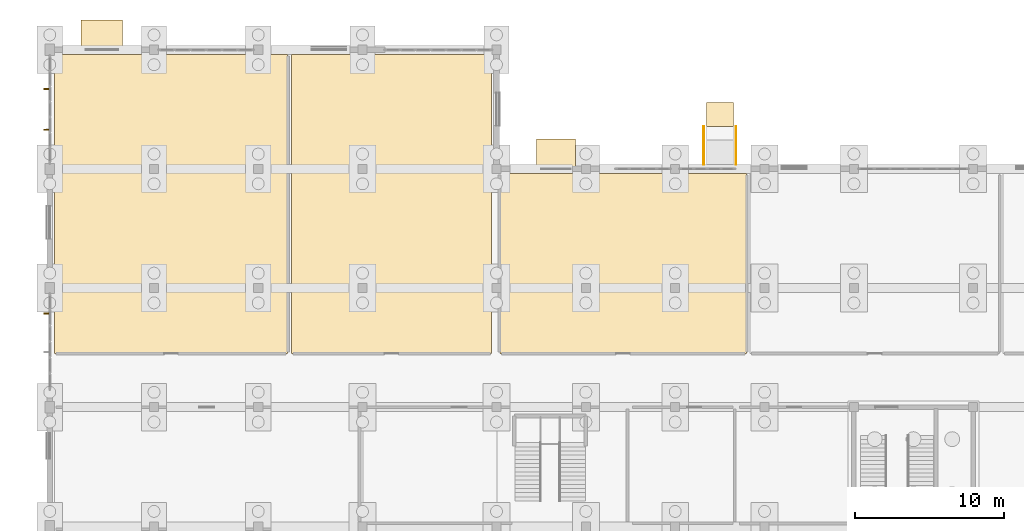
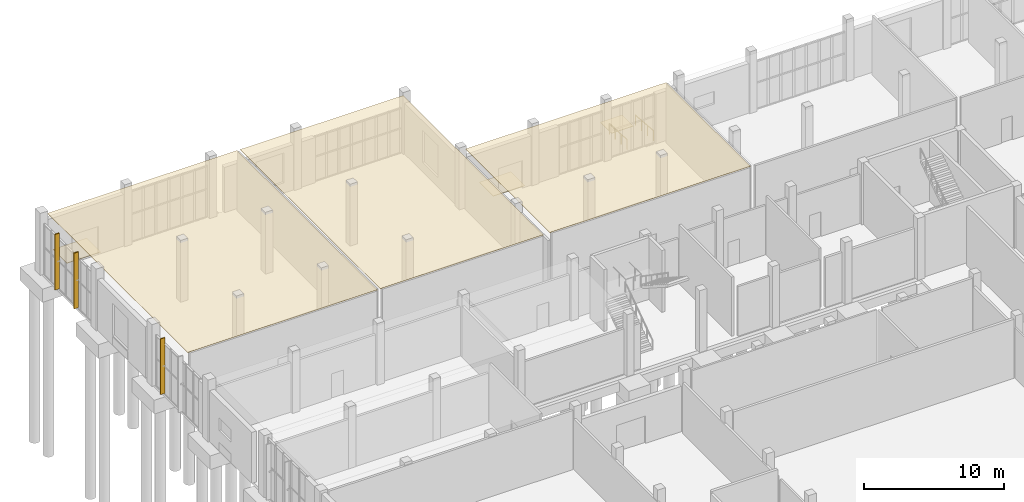
# One storey, part 67 of 69: 6 coverings, 3 shading devices, 2 railings.
"""IFC4 building model written with IfcOpenShell, lengths in metres."""

import ifcopenshell
import ifcopenshell.guid

model = None  # the IFC model being written
_history = None  # IfcOwnerHistory: only IFC2X3 demands one
_inside = {}  # id of a spatial element -> (the spatial element, [elements in it])
_under = {}  # id of a project, library or spatial element -> (it, [spatial elements below it])
_declared = {}  # id of a project -> (the project, [libraries it declares])
_typed = {}  # id of a type object -> (the type object, [elements of that type])
_made_of = {}  # id of a material, layer set ... -> (it, [elements and type objects made of it])


def new_model(schema):
    """Start an empty IFC model of exactly this schema.

    Asked for "IFC4X3", IfcOpenShell would pick the latest addendum, in which some entities
    have other attributes; the version numbers below select the first issue.
    IFC2X3 requires an IfcOwnerHistory on every rooted entity: one is made here for all.
    """
    global model, _history
    if schema == "IFC4X3":
        model = ifcopenshell.file(schema_version=(4, 3, 0, 0))
    else:
        model = ifcopenshell.file(schema=schema)
    _inside.clear()
    _under.clear()
    _declared.clear()
    _typed.clear()
    _made_of.clear()
    _history = None
    if model.schema == "IFC2X3":
        org = make("IfcOrganization", Name="unknown")
        user = make(
            "IfcPersonAndOrganization",
            ThePerson=make("IfcPerson", FamilyName="unknown"),
            TheOrganization=org,
        )
        app = make(
            "IfcApplication",
            ApplicationDeveloper=org,
            Version="unknown",
            ApplicationFullName="unknown",
            ApplicationIdentifier="unknown",
        )
        _history = make(
            "IfcOwnerHistory",
            OwningUser=user,
            OwningApplication=app,
            ChangeAction="ADDED",
            CreationDate=0,
        )
    return model


def make(cls, **values):
    """One entity of the class cls with the attributes given. An attribute that is None is left unset."""
    return model.create_entity(
        cls, **{name: value for name, value in values.items() if value is not None}
    )


def rooted(cls, **values):
    """An entity with a GlobalId (a new one), such as an element, a storey or a relation."""
    return make(cls, GlobalId=ifcopenshell.guid.new(), OwnerHistory=_history, **values)


def si_unit(unit_type, name, prefix=None):
    """IfcSIUnit, for example si_unit("LENGTHUNIT", "METRE", prefix="MILLI")."""
    return make("IfcSIUnit", UnitType=unit_type, Prefix=prefix, Name=name)


def assignment(units):
    """IfcUnitAssignment: the units of a project."""
    return None if units is None else make("IfcUnitAssignment", Units=units)


def point(xyz):
    """IfcCartesianPoint."""
    return None if xyz is None else make("IfcCartesianPoint", Coordinates=xyz)


def direction(xyz):
    """IfcDirection."""
    return None if xyz is None else make("IfcDirection", DirectionRatios=xyz)


def frame(location, z_axis=None, x_axis=None):
    """IfcAxis2Placement3D, a coordinate frame: its origin and axes. An axis left out is left unset."""
    return make(
        "IfcAxis2Placement3D",
        Location=point(location),
        Axis=direction(z_axis),
        RefDirection=direction(x_axis),
    )


def frame_2d(location, x_axis=None):
    """IfcAxis2Placement2D, a coordinate frame in the plane: its origin and x axis."""
    return make(
        "IfcAxis2Placement2D", Location=point(location), RefDirection=direction(x_axis)
    )


def origin():
    """The frame at (0, 0, 0) with its axes left unset."""
    return frame((0.0, 0.0, 0.0))


def origin_2d():
    """The frame at (0, 0) in the plane with its x axis left unset."""
    return frame_2d((0.0, 0.0))


def place(relative_to, where):
    """IfcLocalPlacement: puts the frame where relative to a parent placement (None: the world)."""
    return make(
        "IfcLocalPlacement", PlacementRelTo=relative_to, RelativePlacement=where
    )


def context(
    kind, dimensions, precision=None, world=None, true_north=None, identifier=None
):
    """IfcGeometricRepresentationContext, for example the 3D "Model" context."""
    return make(
        "IfcGeometricRepresentationContext",
        ContextIdentifier=identifier,
        ContextType=kind,
        CoordinateSpaceDimension=dimensions,
        Precision=precision,
        WorldCoordinateSystem=world,
        TrueNorth=true_north,
    )


def subcontext(parent, identifier, kind, view, scale=None):
    """IfcGeometricRepresentationSubContext, for example "Body" below "Model"."""
    return make(
        "IfcGeometricRepresentationSubContext",
        ContextIdentifier=identifier,
        ContextType=kind,
        ParentContext=parent,
        TargetScale=scale,
        TargetView=view,
    )


def project(units=None, contexts=None):
    """IfcProject with its units and contexts."""
    return rooted(
        "IfcProject",
        Name="project",
        RepresentationContexts=contexts,
        UnitsInContext=assignment(units),
    )


def spatial(cls, under=None, at=None, **own):
    """A site, building, storey or space (cls), placed at a placement, below another one or the project."""
    s = rooted(cls, ObjectPlacement=at, **own)
    if under is not None:
        _under.setdefault(under.id(), (under, []))[1].append(s)
    return s


def polyline(points):
    """IfcPolyline through the points."""
    return make("IfcPolyline", Points=[point(p) for p in points])


def profile(cls, at=None, kind="AREA", **sizes):
    """A parametric profile (cls). Its sizes go by their IFC names, for example OverallWidth=200.0."""
    return make(cls, ProfileType=kind, Position=at, **sizes)


def rectangle(**sizes):
    """IfcRectangleProfileDef."""
    return profile("IfcRectangleProfileDef", **sizes)


def circle(**sizes):
    """IfcCircleProfileDef."""
    return profile("IfcCircleProfileDef", **sizes)


def outline(outer, holes=None, kind="AREA"):
    """IfcArbitraryClosedProfileDef: a profile drawn as a closed curve; with holes, ...WithVoids."""
    if holes is None:
        return make("IfcArbitraryClosedProfileDef", ProfileType=kind, OuterCurve=outer)
    return make(
        "IfcArbitraryProfileDefWithVoids",
        ProfileType=kind,
        OuterCurve=outer,
        InnerCurves=holes,
    )


def extrude(swept, where, along, depth):
    """IfcExtrudedAreaSolid: the profile swept, set in the frame where, extruded along a direction by depth."""
    return make(
        "IfcExtrudedAreaSolid",
        SweptArea=swept,
        Position=where,
        ExtrudedDirection=direction(along),
        Depth=depth,
    )


def shape(context_of_items, identifier, shape_type, items):
    """IfcShapeRepresentation: the items that make up one representation, for example the "Body"."""
    return make(
        "IfcShapeRepresentation",
        ContextOfItems=context_of_items,
        RepresentationIdentifier=identifier,
        RepresentationType=shape_type,
        Items=items,
    )


def material(Name=None, Category=None):
    """IfcMaterial."""
    return make("IfcMaterial", Name=Name, Category=Category)


def layer(
    of_material, thickness, ventilated=None, Name=None, Category=None, Priority=None
):
    """IfcMaterialLayer: one layer of a wall or slab, of a material (None: an air gap)."""
    return make(
        "IfcMaterialLayer",
        Material=of_material,
        LayerThickness=thickness,
        IsVentilated=ventilated,
        Name=Name,
        Category=Category,
        Priority=Priority,
    )


def layer_set(layers, Name=None):
    """IfcMaterialLayerSet."""
    return make("IfcMaterialLayerSet", MaterialLayers=layers, LayerSetName=Name)


def made_of(thing, what):
    """Note that an element or type object is made of a material, layer set ...; save() writes the relation."""
    if what is not None:
        _made_of.setdefault(what.id(), (what, []))[1].append(thing)
    return thing


def type_object(cls, material=None, **own):
    """A type object (cls), such as IfcWallType, which elements share."""
    return made_of(rooted(cls, **own), material)


def element(
    cls,
    number,
    at=None,
    inside=None,
    cuts=None,
    type_object=None,
    material=None,
    context=None,
    identifier="Body",
    shape_type=None,
    held_by="IfcProductDefinitionShape",
    body=None,
    shapes=None,
    **own,
):
    """One element of the class cls, such as IfcWall. Its Tag is "e" and its number.

    at: its placement. inside: the storey or other place that contains it. cuts: it is an
    opening in that element (IfcRelVoidsElement). A single representation is given by context,
    identifier, shape_type and body (its items); several are given by shapes. held_by: the class
    of the entity that holds the representations. save() writes the other relations.
    """
    e = rooted(cls, Tag="e%d" % number, ObjectPlacement=at, **own)
    if body is not None:
        shapes = [shape(context, identifier, shape_type, body)]
    if shapes is not None:
        e.Representation = make(held_by, Representations=shapes)
    if inside is not None:
        _inside.setdefault(inside.id(), (inside, []))[1].append(e)
    if cuts is not None:
        rooted(
            "IfcRelVoidsElement", RelatingBuildingElement=cuts, RelatedOpeningElement=e
        )
    if type_object is not None:
        _typed.setdefault(type_object.id(), (type_object, []))[1].append(e)
    return made_of(e, material)


def aggregate(whole, parts):
    """IfcRelAggregates: a whole, such as a stair, and the parts it consists of."""
    return rooted("IfcRelAggregates", RelatingObject=whole, RelatedObjects=parts)


def save(model, path):
    """Write the relations noted so far, then the file.

    IfcRelAggregates (storeys below a building ...), IfcRelContainedInSpatialStructure (elements
    in a storey), IfcRelDefinesByType, IfcRelAssociatesMaterial and IfcRelDeclares: one each for
    every whole, place, type object, material and project.
    """
    for whole, parts in _under.values():
        aggregate(whole, parts)
    for where, things in _inside.values():
        rooted(
            "IfcRelContainedInSpatialStructure",
            RelatedElements=things,
            RelatingStructure=where,
        )
    for kind, things in _typed.values():
        rooted("IfcRelDefinesByType", RelatedObjects=things, RelatingType=kind)
    for what, things in _made_of.values():
        rooted("IfcRelAssociatesMaterial", RelatedObjects=things, RelatingMaterial=what)
    for by, libraries in _declared.values():
        rooted("IfcRelDeclares", RelatingContext=by, RelatedDefinitions=libraries)
    model.write(path)


model = new_model("IFC4")

# Units and contexts
model_context = context("Model", 3, precision=1e-05, world=origin(), true_north=direction((0.0, 1.0)))
body_context = subcontext(model_context, "Body", "Model", "MODEL_VIEW")
ifc_project = project(units=[si_unit("LENGTHUNIT", "METRE"), si_unit("AREAUNIT", "SQUARE_METRE"), si_unit("VOLUMEUNIT", "CUBIC_METRE"), si_unit("PLANEANGLEUNIT", "RADIAN"), si_unit("MASSUNIT", "GRAM", prefix="KILO")], contexts=[model_context])

# Site, building, storey
site_placement = place(None, origin())
site = spatial("IfcSite", under=ifc_project, at=site_placement, CompositionType="ELEMENT")
building_placement = place(site_placement, origin())
building = spatial("IfcBuilding", under=site, at=building_placement, Name="Solvane Community Centre", CompositionType="ELEMENT")
storey_placement = place(building_placement, origin())
storey = spatial("IfcBuildingStorey", under=building, at=storey_placement, Name="L00", CompositionType="ELEMENT", Elevation=0.0)

# Coverings
ifc_material_1 = material(Name="Acoustic timber slat ceiling", Category="wood")
ifc_layer_1 = layer(ifc_material_1, 0.0400390625)
ifc_layer_set_1 = layer_set([ifc_layer_1], Name="Acoustic timber slat ceiling")
covering_type_1 = type_object("IfcCoveringType", Name="Acoustic Timber Slat Suspended Ceiling", PredefinedType="CEILING", material=ifc_layer_set_1)
covering_1_placement = place(storey_placement, frame((0.0, 0.0, 5.135009765625)))
element("IfcCovering", 1, at=covering_1_placement, inside=storey, type_object=covering_type_1, Name="Acoustic Ceiling L00-52", PredefinedType="CEILING", context=body_context, shape_type="SweptSolid", body=[
    extrude(outline(polyline([(36.219970703125, 97.6201171875), (36.219970703125, 109.679931640625), (52.780029296875, 109.679931640625), (52.780029296875, 97.6201171875), (36.219970703125, 97.6201171875)])), origin(), (0.0, 0.0, 1.0), 0.0400390625),
])
covering_2_placement = place(storey_placement, frame((0.0, 0.0, 5.135009765625)))
element("IfcCovering", 2, at=covering_2_placement, inside=storey, type_object=covering_type_1, Name="Acoustic Ceiling L00-56", PredefinedType="CEILING", context=body_context, shape_type="SweptSolid", body=[
    extrude(outline(polyline([(6.320068359375, 97.6201171875), (6.320068359375, 117.679931640625), (21.97998046875, 117.679931640625), (21.97998046875, 97.6201171875), (6.320068359375, 97.6201171875)])), origin(), (0.0, 0.0, 1.0), 0.0400390625),
])
covering_3_placement = place(storey_placement, frame((0.0, 0.0, 5.135009765625)))
element("IfcCovering", 3, at=covering_3_placement, inside=storey, type_object=covering_type_1, Name="Acoustic Ceiling L00-57", PredefinedType="CEILING", context=body_context, shape_type="SweptSolid", body=[
    extrude(outline(polyline([(22.219970703125, 97.6201171875), (22.219970703125, 117.679931640625), (35.679931640625, 117.679931640625), (35.679931640625, 97.6201171875), (22.219970703125, 97.6201171875)])), origin(), (0.0, 0.0, 1.0), 0.0400390625),
])

# Shading devices
ifc_material_2 = material(Name="Anodised bronze aluminium AW-6063 T6", Category="aluminium")
shading_device_type = type_object("IfcShadingDeviceType", Name="Art Deco Bronze Solar Fin 80x360", PredefinedType="USERDEFINED", material=ifc_material_2)
shading_device_1_placement = place(storey_placement, frame((5.760009765625, 100.2919921875, 0.14990234375), z_axis=(0.0, 0.0, 1.0), x_axis=(0.0, 1.0, 0.0)))
element("IfcShadingDevice", 4, at=shading_device_1_placement, inside=storey, type_object=shading_device_type, Name="Solar Brise-Soleil Fin 10", ObjectType="Solar Brise-Soleil Fin 10", PredefinedType="USERDEFINED", context=body_context, shape_type="SweptSolid", body=[
    extrude(rectangle(XDim=0.080078125, YDim=0.360107421875, at=origin_2d()), origin(), (0.0, 0.0, 1.0), 4.860107421875),
])
shading_device_2_placement = place(storey_placement, frame((5.760009765625, 112.639892578125, 0.14990234375), z_axis=(0.0, 0.0, 1.0), x_axis=(0.0, 1.0, 0.0)))
element("IfcShadingDevice", 5, at=shading_device_2_placement, inside=storey, type_object=shading_device_type, Name="Solar Brise-Soleil Fin 11", ObjectType="Solar Brise-Soleil Fin 11", PredefinedType="USERDEFINED", context=body_context, shape_type="SweptSolid", body=[
    extrude(rectangle(XDim=0.080078125, YDim=0.360107421875, at=origin_2d()), origin(), (0.0, 0.0, 1.0), 4.860107421875),
])
shading_device_3_placement = place(storey_placement, frame((5.760009765625, 115.360107421875, 0.14990234375), z_axis=(0.0, 0.0, 1.0), x_axis=(0.0, 1.0, 0.0)))
element("IfcShadingDevice", 6, at=shading_device_3_placement, inside=storey, type_object=shading_device_type, Name="Solar Brise-Soleil Fin 12", ObjectType="Solar Brise-Soleil Fin 12", PredefinedType="USERDEFINED", context=body_context, shape_type="SweptSolid", body=[
    extrude(rectangle(XDim=0.080078125, YDim=0.360107421875, at=origin_2d()), origin(), (0.0, 0.0, 1.0), 4.860107421875),
])

# Railings
railing_type = type_object("IfcRailingType", Name="Ramp Handrail 900mm", PredefinedType="HANDRAIL", material=ifc_material_2)
for number, where, name in (
    (7, (49.919921875, 112.85009765625, -0.239990234375), "Ramp Handrail RMP-06"),
    (8, (52.080078125, 112.85009765625, -0.239990234375), "Ramp Handrail RMP-06"),
):
    element("IfcRailing", number, at=place(storey_placement, frame(where)), inside=storey, type_object=railing_type, Name=name, PredefinedType="HANDRAIL", context=body_context, shape_type="SweptSolid", body=[
        extrude(circle(Radius=0.02392578125, at=origin_2d()), frame((0.0, 0.0, 0.8759765625), z_axis=(0.0, -0.99693998236, 0.078170784639), x_axis=(1.0, 0.0, 0.0)), (0.0, 0.0, 1.0), 2.557861328125),
        extrude(circle(Radius=0.02099609375, at=origin_2d()), origin(), (0.0, 0.0, 1.0), 0.851806640625),
        extrude(circle(Radius=0.02099609375, at=origin_2d()), frame((0.0, -0.85009765625, 0.066650390625)), (0.0, 0.0, 1.0), 0.851806640625),
        extrude(circle(Radius=0.02099609375, at=origin_2d()), frame((0.0, -1.699951171875, 0.13330078125)), (0.0, 0.0, 1.0), 0.851806640625),
        extrude(circle(Radius=0.02099609375, at=origin_2d()), frame((0.0, -2.550048828125, 0.199951171875)), (0.0, 0.0, 1.0), 0.851806640625),
    ])

# Coverings
ifc_material_3 = material(Name="Precast concrete C35/45", Category="concrete")
ifc_layer_2 = layer(ifc_material_3, 0.0400390625)
ifc_layer_set_2 = layer_set([ifc_layer_2], Name="Precast concrete C35/45")
covering_type_2 = type_object("IfcCoveringType", Name="Stone Entrance Threshold Apron", PredefinedType="FLOORING", material=ifc_layer_set_2)
covering_4_placement = place(storey_placement, frame((0.0, 0.0, -0.0400390625)))
element("IfcCovering", 9, at=covering_4_placement, inside=storey, type_object=covering_type_2, Name="Entrance Threshold Apron L00-ED13", PredefinedType="FLOORING", context=body_context, shape_type="SweptSolid", body=[
    extrude(outline(polyline([(8.10009765625, 118.0), (10.89990234375, 118.0), (10.89990234375, 120.0), (8.10009765625, 120.0), (8.10009765625, 118.0)])), origin(), (0.0, 0.0, 1.0), 0.0400390625),
])
covering_5_placement = place(storey_placement, frame((0.0, 0.0, -0.0400390625)))
element("IfcCovering", 10, at=covering_5_placement, inside=storey, type_object=covering_type_2, Name="Entrance Threshold Apron L00-ED14", PredefinedType="FLOORING", context=body_context, shape_type="SweptSolid", body=[
    extrude(outline(polyline([(38.699951171875, 110.0), (41.300048828125, 110.0), (41.300048828125, 112.0), (38.699951171875, 112.0), (38.699951171875, 110.0)])), origin(), (0.0, 0.0, 1.0), 0.0400390625),
])
covering_6_placement = place(storey_placement, frame((0.0, 0.0, -0.280029296875)))
element("IfcCovering", 11, at=covering_6_placement, inside=storey, type_object=covering_type_2, Name="Ramp Base Landing RMP-06", PredefinedType="FLOORING", context=body_context, shape_type="SweptSolid", body=[
    extrude(outline(polyline([(50.10009765625, 114.449951171875), (50.10009765625, 112.85009765625), (51.89990234375, 112.85009765625), (51.89990234375, 114.449951171875), (50.10009765625, 114.449951171875)])), origin(), (0.0, 0.0, 1.0), 0.0400390625),
])

save(model, "model.ifc")
